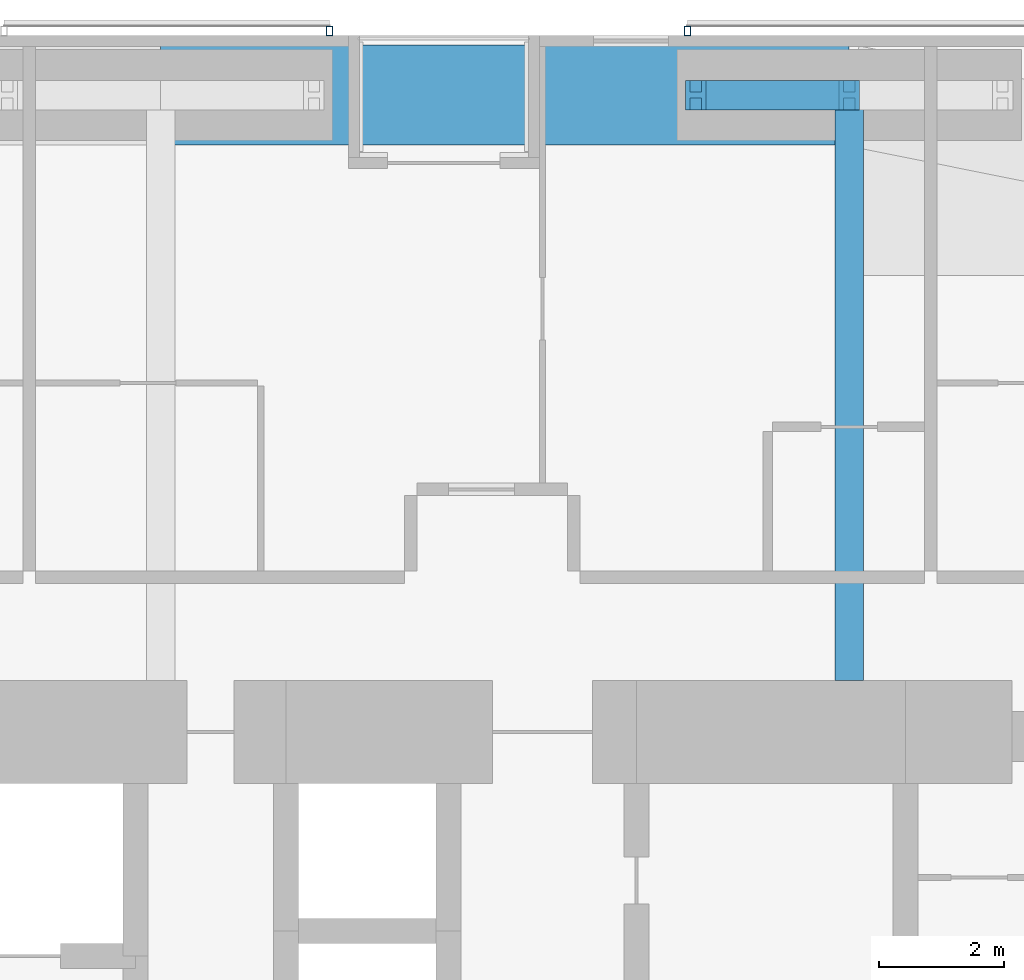
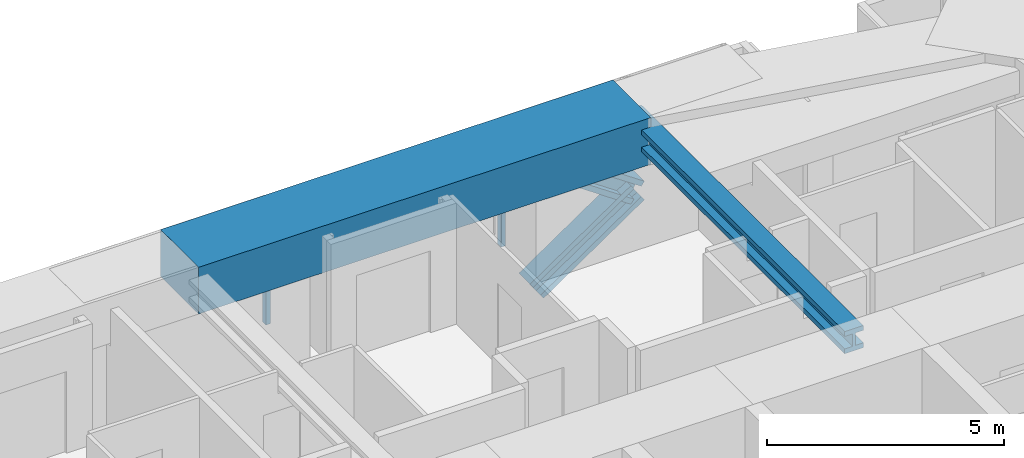
# One storey, part 14 of 24: 4 members, 2 beams, 2 elements without a shape of their own.
"""IFC4 building model written with IfcOpenShell, lengths in metres."""

from ifc_helpers import new_model, si_unit, direction, frame, origin, origin_2d, place, context, subcontext, project, spatial, rectangle, hollow_rectangle, i_section, extrude, material, material_profile, profile_set, type_object, element, aggregate, save


model = new_model("IFC4")

# Units and contexts
model_context = context("Model", 3, precision=1e-05, world=origin(), true_north=direction((0.0, 1.0)))
body_context = subcontext(model_context, "Body", "Model", "MODEL_VIEW")
ifc_project = project(units=[si_unit("LENGTHUNIT", "METRE"), si_unit("AREAUNIT", "SQUARE_METRE"), si_unit("VOLUMEUNIT", "CUBIC_METRE"), si_unit("PLANEANGLEUNIT", "RADIAN"), si_unit("MASSUNIT", "GRAM", prefix="KILO")], contexts=[model_context])

# Site, building, storey
site_placement = place(None, origin())
site = spatial("IfcSite", under=ifc_project, at=site_placement, CompositionType="ELEMENT")
building_placement = place(site_placement, origin())
building = spatial("IfcBuilding", under=site, at=building_placement, Name="Jalousie Tower", CompositionType="ELEMENT")
storey_placement = place(building_placement, frame((0.0, 0.0, 51.14990234375)))
storey = spatial("IfcBuildingStorey", under=building, at=storey_placement, Name="L13", CompositionType="ELEMENT", Elevation=51.14990234375)

# Beam
ifc_material_1 = material(Name="Steel ASTM A992 Grade 50", Category="steel")
ifc_material_profile_1 = material_profile(ifc_material_1, i_section(OverallWidth=0.45458984375, OverallDepth=0.569091796875, WebThickness=0.077880859375, FlangeThickness=0.124755859375, at=origin_2d()), Name="W14X730")
ifc_profile_set_1 = profile_set([ifc_material_profile_1], Name="Steel ASTM A992 Grade 50")
beam_type_1 = type_object("IfcBeamType", Name="LEAN COLLECTOR W14X730", PredefinedType="BEAM", material=ifc_profile_set_1)
beam_1_placement = place(storey_placement, frame((35.0, 37.050048828125, 2.82568359375), z_axis=(0.0, -1.0, 0.0), x_axis=(1.0, 0.0, 0.0)))
element("IfcBeam", 1, at=beam_1_placement, inside=storey, type_object=beam_type_1, Name="Lean collector under L14", PredefinedType="BEAM", context=body_context, shape_type="SweptSolid", body=[
    extrude(i_section(OverallWidth=0.45458984375, OverallDepth=0.569091796875, WebThickness=0.077880859375, FlangeThickness=0.124755859375, at=origin_2d()), origin(), (0.0, 0.0, 1.0), 9.35009765625),
])

# Members
ifc_material_2 = material(Name="Steel ASTM A992 Grade 50", Category="steel")
ifc_material_profile_2 = material_profile(ifc_material_2, i_section(OverallWidth=0.472412109375, OverallDepth=0.5791015625, WebThickness=0.094970703125, FlangeThickness=0.1298828125, at=origin_2d()), Name="W14X808")
ifc_profile_set_2 = profile_set([ifc_material_profile_2], Name="Steel ASTM A992 Grade 50")
member_type_1 = type_object("IfcMemberType", Name="PERIMETER BRACE W14X808", PredefinedType="BRACE", material=ifc_profile_set_2)
for number, where, z_axis, x_axis, name in (
    (2, (32.550048828125, 37.050048828125, -0.599853515625), (0.825500916831, 0.0, 0.564400776321), (0.0, 1.0, 0.0), "Perimeter brace 09 L13 part 1"),
    (3, (35.0, 37.050048828125, 1.0751953125), (-0.825539243753, 0.0, 0.564344714713), (0.0, -1.0, 0.0), "Perimeter brace 09 L13 part 4"),
):
    element("IfcMember", number, at=place(storey_placement, frame(where, z_axis=z_axis, x_axis=x_axis)), inside=storey, type_object=member_type_1, Name=name, PredefinedType="BRACE", context=body_context, shape_type="SweptSolid", body=[
        extrude(i_section(OverallWidth=0.472412109375, OverallDepth=0.5791015625, WebThickness=0.094970703125, FlangeThickness=0.1298828125, at=origin_2d()), origin(), (0.0, 0.0, 1.0), 2.9677734375),
    ])

# Beam
ifc_material_3 = material(Name="Concrete f'c 40 MPa", Category="concrete")
ifc_material_profile_3 = material_profile(ifc_material_3, rectangle(XDim=1.60009765625, YDim=1.199951171875, at=origin_2d()), Name="RC 1600x1200")
ifc_profile_set_3 = profile_set([ifc_material_profile_3], Name="Concrete f'c 40 MPa")
beam_type_2 = type_object("IfcBeamType", Name="RC BEAM 1600x1200", PredefinedType="BEAM", material=ifc_profile_set_3)
beam_2_placement = place(storey_placement, frame((35.0, 37.050048828125, 2.75), z_axis=(-1.0, 0.0, 0.0), x_axis=(0.0, -1.0, 0.0)))
element("IfcBeam", 4, at=beam_2_placement, inside=storey, type_object=beam_type_2, Name="Edge band beam 09-10 under L14", PredefinedType="BEAM", context=body_context, shape_type="SweptSolid", body=[
    extrude(rectangle(XDim=1.60009765625, YDim=1.199951171875, at=origin_2d()), origin(), (0.0, 0.0, 1.0), 11.0),
])

# Curtain wall, member
ifc_material_4 = material(Name="Perforated aluminium sheet", Category="aluminium")
curtain_wall_type = type_object("IfcCurtainWallType", Name="SOLAR SCREEN SS-1", PredefinedType="USERDEFINED", material=ifc_material_4)
curtain_wall_1_placement = place(storey_placement, origin())
curtain_wall_1 = element("IfcCurtainWall", 5, at=curtain_wall_1_placement, inside=storey, type_object=curtain_wall_type, Name="Solar screen L13", ObjectType="SOLAR SCREEN SS-1", PredefinedType="USERDEFINED")
ifc_material_5 = material(Name="Steel ASTM A500 Grade C", Category="steel")
ifc_material_profile_4 = material_profile(ifc_material_5, hollow_rectangle(XDim=0.1015625, YDim=0.15234375, WallThickness=0.00634765625, at=origin_2d()), Name="HSS6X4X1/4")
ifc_profile_set_4 = profile_set([ifc_material_profile_4], Name="Steel ASTM A500 Grade C")
member_type_2 = type_object("IfcMemberType", Name="SOLAR SCREEN SS-1 MULLION", PredefinedType="MULLION", material=ifc_profile_set_4)
member_1_placement = place(storey_placement, frame((32.4150390625, 38.0712890625, -0.119873046875), z_axis=(0.0, 0.0, 1.0), x_axis=(-1.0, 0.0, 0.0)))
member_1 = element("IfcMember", 6, at=member_1_placement, type_object=member_type_2, Name="SS1 post 2", PredefinedType="MULLION", context=body_context, shape_type="SweptSolid", body=[
    extrude(hollow_rectangle(XDim=0.1015625, YDim=0.15234375, WallThickness=0.00634765625, at=origin_2d()), origin(), (0.0, 0.0, 1.0), 3.22998046875),
])
aggregate(curtain_wall_1, [member_1])

curtain_wall_2_placement = place(storey_placement, origin())
curtain_wall_2 = element("IfcCurtainWall", 7, at=curtain_wall_2_placement, inside=storey, type_object=curtain_wall_type, Name="Solar screen L13", ObjectType="SOLAR SCREEN SS-1", PredefinedType="USERDEFINED")
member_2_placement = place(storey_placement, frame((26.699951171875, 38.0712890625, -0.119873046875), z_axis=(0.0, 0.0, 1.0), x_axis=(-1.0, 0.0, 0.0)))
member_2 = element("IfcMember", 8, at=member_2_placement, type_object=member_type_2, Name="SS1 post 1", PredefinedType="MULLION", context=body_context, shape_type="SweptSolid", body=[
    extrude(hollow_rectangle(XDim=0.1015625, YDim=0.15234375, WallThickness=0.00634765625, at=origin_2d()), origin(), (0.0, 0.0, 1.0), 3.22998046875),
])
aggregate(curtain_wall_2, [member_2])

save(model, "model.ifc")
